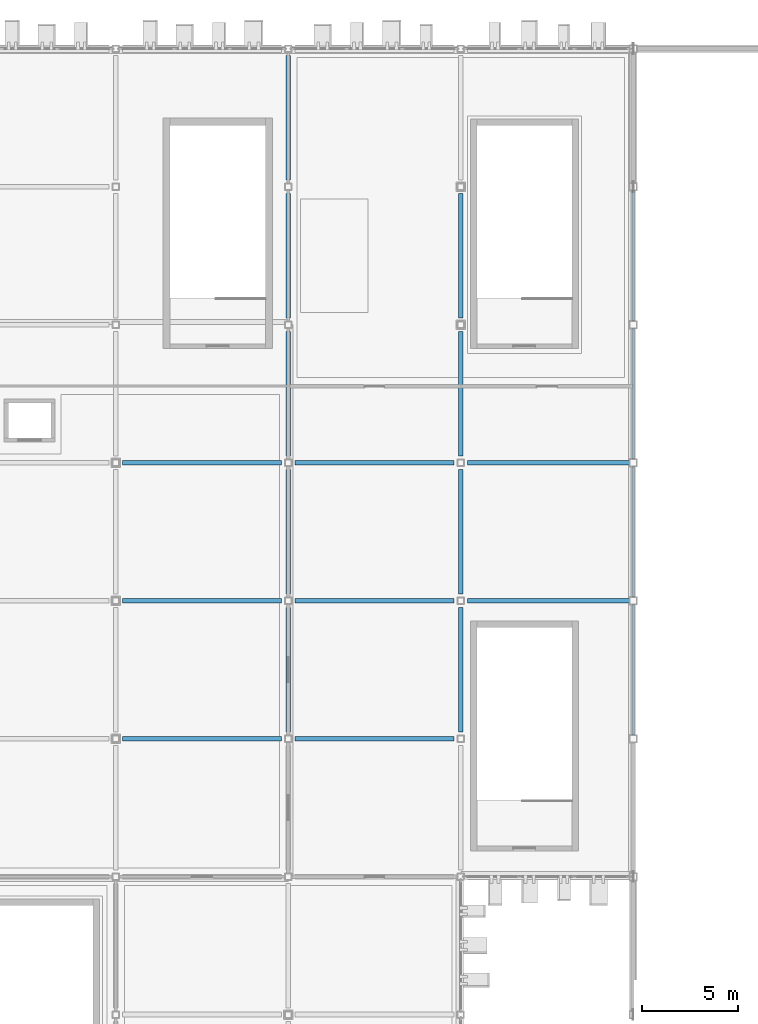
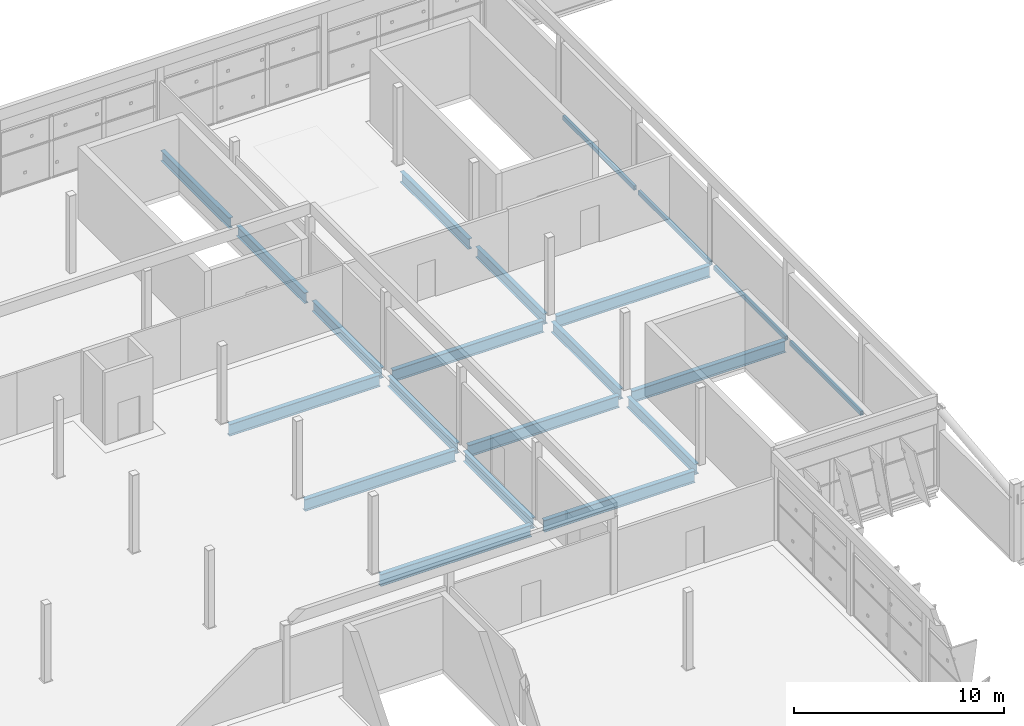
# One storey, part 72 of 124: 21 beams.
"""IFC4 building model written with IfcOpenShell, lengths in metres."""

from ifc_helpers import new_model, si_unit, direction, frame, origin, origin_2d, place, context, subcontext, project, spatial, hollow_rectangle, i_section, extrude, material, material_profile, profile_set, type_object, element, save


model = new_model("IFC4")

# Units and contexts
model_context = context("Model", 3, precision=1e-05, world=origin(), true_north=direction((0.0, 1.0)))
body_context = subcontext(model_context, "Body", "Model", "MODEL_VIEW")
ifc_project = project(units=[si_unit("LENGTHUNIT", "METRE"), si_unit("AREAUNIT", "SQUARE_METRE"), si_unit("VOLUMEUNIT", "CUBIC_METRE"), si_unit("PLANEANGLEUNIT", "RADIAN"), si_unit("MASSUNIT", "GRAM", prefix="KILO")], contexts=[model_context])

# Site, building, storey
site_placement = place(None, origin())
site = spatial("IfcSite", under=ifc_project, at=site_placement, CompositionType="ELEMENT")
building_placement = place(site_placement, origin())
building = spatial("IfcBuilding", under=site, at=building_placement, Name="Celestram Park Convention Centre", CompositionType="ELEMENT")
storey_placement = place(building_placement, frame((0.0, 0.0, 15.300048828125)))
storey = spatial("IfcBuildingStorey", under=building, at=storey_placement, Name="L03", CompositionType="ELEMENT", Elevation=15.300048828125)

# Beams
ifc_material_1 = material(Name="Steel ASTM A992 Grade 50", Category="steel")
ifc_material_profile_1 = material_profile(ifc_material_1, i_section(OverallWidth=0.22900390625, OverallDepth=0.612060546875, WebThickness=0.011962890625, FlangeThickness=0.01953125, at=origin_2d()), Name="W24X84")
ifc_profile_set_1 = profile_set([ifc_material_profile_1], Name="Steel ASTM A992 Grade 50")
beam_type_1 = type_object("IfcBeamType", Name="STR-BM-W24X84", PredefinedType="BEAM", material=ifc_profile_set_1)
beam_1_placement = place(storey_placement, frame((135.0, 129.947998046875, -0.55615234375), z_axis=(0.0, 1.0, 0.0), x_axis=(-1.0, 0.0, 0.0)))
element("IfcBeam", 1, at=beam_1_placement, inside=storey, type_object=beam_type_1, Name="Primary Y-girder BG-L03-0207", PredefinedType="BEAM", context=body_context, shape_type="SweptSolid", body=[
    extrude(i_section(OverallWidth=0.22900390625, OverallDepth=0.612060546875, WebThickness=0.011962890625, FlangeThickness=0.01953125, at=origin_2d()), origin(), (0.0, 0.0, 1.0), 6.50390625),
])
for number, where, z_axis, x_axis, name in (
    (2, (135.0, 137.14794921875, -0.55615234375), (0.0, 1.0, 0.0), (-1.0, 0.0, 0.0), "Primary Y-girder BG-L03-0209"),
    (3, (135.0, 144.347900390625, -0.55615234375), (0.0, 1.0, 0.0), (-1.0, 0.0, 0.0), "Primary Y-girder BG-L03-0211"),
):
    element("IfcBeam", number, at=place(storey_placement, frame(where, z_axis=z_axis, x_axis=x_axis)), inside=storey, type_object=beam_type_1, Name=name, PredefinedType="BEAM", context=body_context, shape_type="SweptSolid", body=[
        extrude(i_section(OverallWidth=0.22900390625, OverallDepth=0.612060546875, WebThickness=0.011962890625, FlangeThickness=0.01953125, at=origin_2d()), origin(), (0.0, 0.0, 1.0), 6.504150390625),
    ])
for number, where, z_axis, x_axis, name in (
    (4, (135.0, 151.548095703125, -0.55615234375), (0.0, 1.0, 0.0), (-1.0, 0.0, 0.0), "Primary Y-girder BG-L03-0212"),
    (5, (135.0, 158.748046875, -0.55615234375), (0.0, 1.0, 0.0), (-1.0, 0.0, 0.0), "Primary Y-girder BG-L03-0213"),
    (6, (144.0, 129.947998046875, -0.55615234375), (0.0, 1.0, 0.0), (-1.0, 0.0, 0.0), "Primary Y-girder BG-L03-0237"),
):
    element("IfcBeam", number, at=place(storey_placement, frame(where, z_axis=z_axis, x_axis=x_axis)), inside=storey, type_object=beam_type_1, Name=name, PredefinedType="BEAM", context=body_context, shape_type="SweptSolid", body=[
        extrude(i_section(OverallWidth=0.22900390625, OverallDepth=0.612060546875, WebThickness=0.011962890625, FlangeThickness=0.01953125, at=origin_2d()), origin(), (0.0, 0.0, 1.0), 6.50390625),
    ])
for number, where, z_axis, x_axis, name in (
    (7, (144.0, 137.14794921875, -0.55615234375), (0.0, 1.0, 0.0), (-1.0, 0.0, 0.0), "Primary Y-girder BG-L03-0239"),
    (8, (144.0, 144.347900390625, -0.55615234375), (0.0, 1.0, 0.0), (-1.0, 0.0, 0.0), "Primary Y-girder BG-L03-0241"),
):
    element("IfcBeam", number, at=place(storey_placement, frame(where, z_axis=z_axis, x_axis=x_axis)), inside=storey, type_object=beam_type_1, Name=name, PredefinedType="BEAM", context=body_context, shape_type="SweptSolid", body=[
        extrude(i_section(OverallWidth=0.22900390625, OverallDepth=0.612060546875, WebThickness=0.011962890625, FlangeThickness=0.01953125, at=origin_2d()), origin(), (0.0, 0.0, 1.0), 6.504150390625),
    ])
beam_2_placement = place(storey_placement, frame((144.0, 151.548095703125, -0.55615234375), z_axis=(0.0, 1.0, 0.0), x_axis=(-1.0, 0.0, 0.0)))
element("IfcBeam", 9, at=beam_2_placement, inside=storey, type_object=beam_type_1, Name="Primary Y-girder BG-L03-0242", PredefinedType="BEAM", context=body_context, shape_type="SweptSolid", body=[
    extrude(i_section(OverallWidth=0.22900390625, OverallDepth=0.612060546875, WebThickness=0.011962890625, FlangeThickness=0.01953125, at=origin_2d()), origin(), (0.0, 0.0, 1.0), 6.50390625),
])
ifc_material_profile_2 = material_profile(ifc_material_1, i_section(OverallWidth=0.25390625, OverallDepth=0.68310546875, WebThickness=0.012451171875, FlangeThickness=0.01904296875, at=origin_2d()), Name="W27X94")
ifc_profile_set_2 = profile_set([ifc_material_profile_2], Name="Steel ASTM A992 Grade 50")
beam_type_2 = type_object("IfcBeamType", Name="STR-BM-W27X94", PredefinedType="BEAM", material=ifc_profile_set_2)
for number, where, z_axis, x_axis, name in (
    (10, (126.347900390625, 129.60009765625, -0.591552734375), (1.0, 0.0, 0.0), (0.0, 1.0, 0.0), "Primary X-girder BG-L03-0172"),
    (11, (126.347900390625, 136.800048828125, -0.591552734375), (1.0, 0.0, 0.0), (0.0, 1.0, 0.0), "Primary X-girder BG-L03-0174"),
    (12, (126.347900390625, 144.0, -0.591552734375), (1.0, 0.0, 0.0), (0.0, 1.0, 0.0), "Primary X-girder BG-L03-0176"),
    (13, (135.347900390625, 129.60009765625, -0.591552734375), (1.0, 0.0, 0.0), (0.0, 1.0, 0.0), "Primary X-girder BG-L03-0206"),
    (14, (135.347900390625, 136.800048828125, -0.591552734375), (1.0, 0.0, 0.0), (0.0, 1.0, 0.0), "Primary X-girder BG-L03-0208"),
    (15, (135.347900390625, 144.0, -0.591552734375), (1.0, 0.0, 0.0), (0.0, 1.0, 0.0), "Primary X-girder BG-L03-0210"),
):
    element("IfcBeam", number, at=place(storey_placement, frame(where, z_axis=z_axis, x_axis=x_axis)), inside=storey, type_object=beam_type_2, Name=name, PredefinedType="BEAM", context=body_context, shape_type="SweptSolid", body=[
        extrude(i_section(OverallWidth=0.25390625, OverallDepth=0.68310546875, WebThickness=0.012451171875, FlangeThickness=0.01904296875, at=origin_2d()), origin(), (0.0, 0.0, 1.0), 8.30419921875),
    ])
for number, where, z_axis, x_axis, name in (
    (16, (144.347900390625, 136.800048828125, -0.591552734375), (1.0, 0.0, 0.0), (0.0, 1.0, 0.0), "Primary X-girder BG-L03-0238"),
    (17, (144.347900390625, 144.0, -0.591552734375), (1.0, 0.0, 0.0), (0.0, 1.0, 0.0), "Primary X-girder BG-L03-0240"),
):
    element("IfcBeam", number, at=place(storey_placement, frame(where, z_axis=z_axis, x_axis=x_axis)), inside=storey, type_object=beam_type_2, Name=name, PredefinedType="BEAM", context=body_context, shape_type="SweptSolid", body=[
        extrude(i_section(OverallWidth=0.25390625, OverallDepth=0.68310546875, WebThickness=0.012451171875, FlangeThickness=0.01904296875, at=origin_2d()), origin(), (0.0, 0.0, 1.0), 8.4541015625),
    ])
ifc_material_2 = material(Name="Steel ASTM A500 Grade C", Category="steel")
ifc_material_profile_3 = material_profile(ifc_material_2, hollow_rectangle(XDim=0.14990234375, YDim=0.25, WallThickness=0.010009765625, at=origin_2d()), Name="HSS250X150X10")
ifc_profile_set_3 = profile_set([ifc_material_profile_3], Name="Steel ASTM A500 Grade C")
beam_type_3 = type_object("IfcBeamType", Name="STR-SPN-HSS250X150", PredefinedType="SPANDREL", material=ifc_profile_set_3)
for number, where, z_axis, x_axis, name in (
    (18, (153.0, 129.798095703125, -0.375), (0.0, 1.0, 0.0), (-1.0, 0.0, 0.0), "Primary Y-girder BG-L03-0256"),
    (19, (153.0, 136.998046875, -0.375), (0.0, 1.0, 0.0), (-1.0, 0.0, 0.0), "Primary Y-girder BG-L03-0257"),
    (20, (153.0, 144.197998046875, -0.375), (0.0, 1.0, 0.0), (-1.0, 0.0, 0.0), "Primary Y-girder BG-L03-0258"),
    (21, (153.0, 151.39794921875, -0.375), (0.0, 1.0, 0.0), (-1.0, 0.0, 0.0), "Primary Y-girder BG-L03-0259"),
):
    element("IfcBeam", number, at=place(storey_placement, frame(where, z_axis=z_axis, x_axis=x_axis)), inside=storey, type_object=beam_type_3, Name=name, PredefinedType="SPANDREL", context=body_context, shape_type="SweptSolid", body=[
        extrude(hollow_rectangle(XDim=0.14990234375, YDim=0.25, WallThickness=0.010009765625, at=origin_2d()), origin(), (0.0, 0.0, 1.0), 6.803955078125),
    ])

save(model, "model.ifc")
